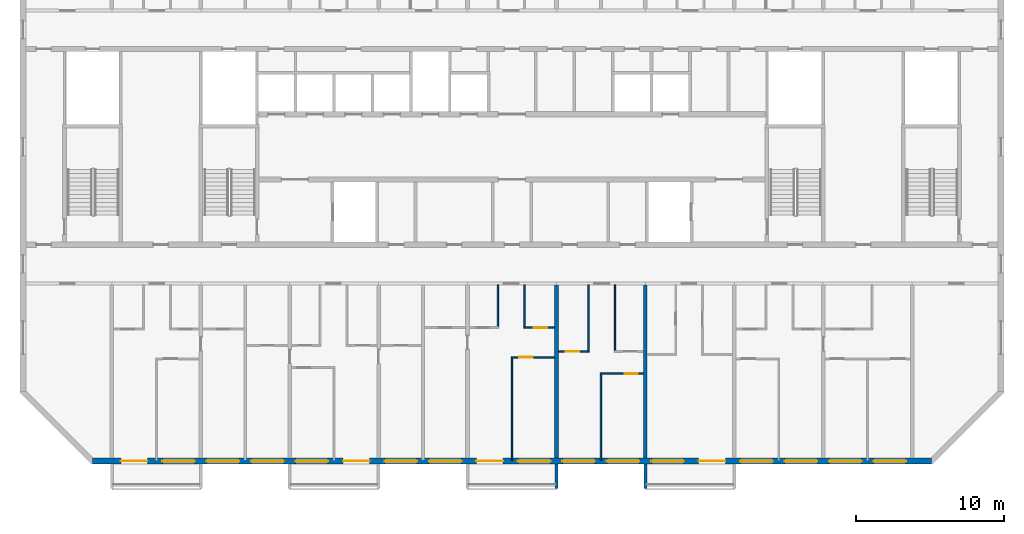
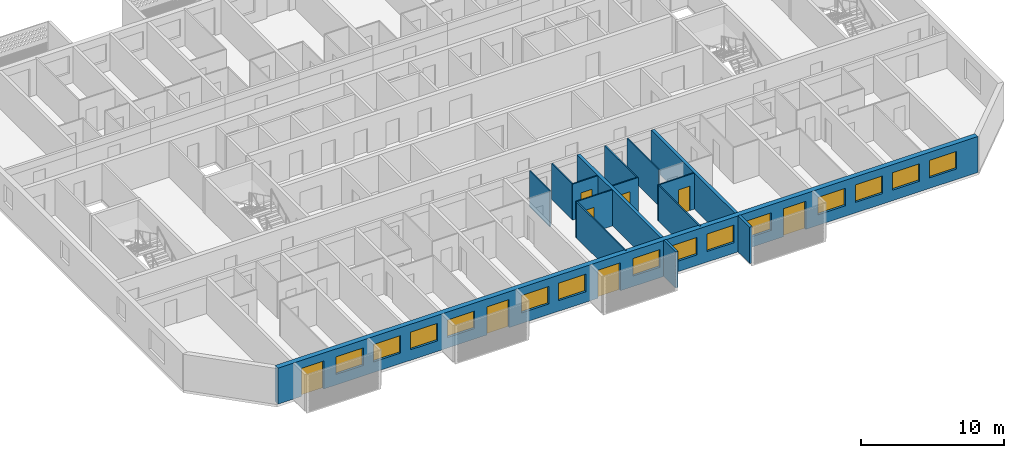
# One storey, part 4 of 29: 15 walls, 14 windows, 8 doors, 22 openings.
"""IFC4 building model written with IfcOpenShell, lengths in metres."""

from ifc_helpers import new_model, si_unit, direction, frame, frame_2d, origin, place, context, subcontext, project, spatial, polyline, rectangle, outline, extrude, source, transform, mapped, material, layer, layer_set, type_object, element, fill, save


model = new_model("IFC4")

# Units and contexts
model_context = context("Model", 3, precision=1e-05, world=origin(), true_north=direction((0.0, 1.0)))
body_context = subcontext(model_context, "Body", "Model", "MODEL_VIEW")
ifc_project = project(units=[si_unit("LENGTHUNIT", "METRE"), si_unit("AREAUNIT", "SQUARE_METRE"), si_unit("VOLUMEUNIT", "CUBIC_METRE"), si_unit("PLANEANGLEUNIT", "RADIAN"), si_unit("MASSUNIT", "GRAM", prefix="KILO")], contexts=[model_context])

# Site, building, storey
site_placement = place(None, origin())
site = spatial("IfcSite", under=ifc_project, at=site_placement, CompositionType="ELEMENT")
building_placement = place(site_placement, origin())
building = spatial("IfcBuilding", under=site, at=building_placement, Name="Poui Terraces", CompositionType="ELEMENT")
storey_placement = place(building_placement, frame((0.0, 0.0, 237.89990234375)))
storey = spatial("IfcBuildingStorey", under=building, at=storey_placement, Name="L66", CompositionType="ELEMENT", Elevation=237.89990234375)

# Walls
ifc_material_1 = material(Name="Concrete 50 MPa", Category="concrete")
ifc_layer_1 = layer(ifc_material_1, 0.25)
ifc_layer_set_1 = layer_set([ifc_layer_1], Name="Concrete 50 MPa")
wall_type_1 = type_object("IfcWallType", Name="CROSS WALL 250 50MPa", PredefinedType="SHEAR", material=ifc_layer_set_1)
for number, where, z_axis, x_axis, name in (
    (1, (54.0, 0.199951171875, 0.0), (0.0, 0.0, 1.0), (0.0, 1.0, 0.0), "CROSS WALL LINE 10 SOUTH"),
    (2, (60.0, 0.199951171875, 0.0), (0.0, 0.0, 1.0), (0.0, 1.0, 0.0), "CROSS WALL LINE 11 SOUTH"),
):
    element("IfcWall", number, at=place(storey_placement, frame(where, z_axis=z_axis, x_axis=x_axis)), inside=storey, type_object=wall_type_1, Name=name, PredefinedType="SHEAR", context=body_context, shape_type="SweptSolid", body=[
        extrude(rectangle(XDim=11.699951171875, YDim=0.25, at=frame_2d((5.85009765625, 0.0))), origin(), (0.0, 0.0, 1.0), 3.080078125),
    ])

# Wall, openings, doors, windows
ifc_material_2 = material(Name="Precast concrete 40 MPa", Category="concrete")
ifc_layer_2 = layer(ifc_material_2, 0.39990234375)
ifc_layer_set_2 = layer_set([ifc_layer_2], Name="Precast concrete 40 MPa")
wall_type_2 = type_object("IfcWallType", Name="EXTERNAL WALL 400", PredefinedType="STANDARD", material=ifc_layer_set_2)
wall_1_placement = place(storey_placement, frame((22.682861328125, 0.0, 0.0), z_axis=(0.0, 0.0, 1.0), x_axis=(1.0, 0.0, 0.0)))
wall_1 = element("IfcWall", 3, at=wall_1_placement, inside=storey, type_object=wall_type_2, Name="EXTERNAL WALL S", PredefinedType="STANDARD", context=body_context, shape_type="SweptSolid", body=[
    extrude(rectangle(XDim=56.63427734375, YDim=0.39990234375, at=frame_2d((28.317138671875, 0.0))), origin(), (0.0, 0.0, 1.0), 3.080078125),
])
opening_1_placement = place(wall_1_placement, frame((1.917236328125, 0.0, 0.0)))
opening_1 = element("IfcOpeningElement", 4, at=opening_1_placement, cuts=wall_1, Name="Opening BD1", PredefinedType="OPENING", context=body_context, shape_type="SweptSolid", body=[
    extrude(rectangle(XDim=1.800048828125, YDim=2.39990234375, at=frame_2d((0.89990234375, 1.199951171875))), frame((0.0, 0.2099609375, 0.0), z_axis=(0.0, -1.0, 0.0), x_axis=(1.0, 0.0, 0.0)), (0.0, 0.0, 1.0), 0.419921875),
])
opening_2_placement = place(wall_1_placement, frame((4.71728515625, 0.0, 0.89990234375)))
opening_2 = element("IfcOpeningElement", 5, at=opening_2_placement, cuts=wall_1, Name="Opening W1", PredefinedType="OPENING", context=body_context, shape_type="SweptSolid", body=[
    extrude(rectangle(XDim=2.199951171875, YDim=1.5, at=frame_2d((1.10009765625, 0.75))), frame((0.0, 0.2099609375, 0.0), z_axis=(0.0, -1.0, 0.0), x_axis=(1.0, 0.0, 0.0)), (0.0, 0.0, 1.0), 0.419921875),
])
opening_3_placement = place(wall_1_placement, frame((7.71728515625, 0.0, 0.89990234375)))
opening_3 = element("IfcOpeningElement", 6, at=opening_3_placement, cuts=wall_1, Name="Opening W1", PredefinedType="OPENING", context=body_context, shape_type="SweptSolid", body=[
    extrude(rectangle(XDim=2.199951171875, YDim=1.5, at=frame_2d((1.10009765625, 0.75))), frame((0.0, 0.2099609375, 0.0), z_axis=(0.0, -1.0, 0.0), x_axis=(1.0, 0.0, 0.0)), (0.0, 0.0, 1.0), 0.419921875),
])
opening_4_placement = place(wall_1_placement, frame((10.71728515625, 0.0, 0.89990234375)))
opening_4 = element("IfcOpeningElement", 7, at=opening_4_placement, cuts=wall_1, Name="Opening W1", PredefinedType="OPENING", context=body_context, shape_type="SweptSolid", body=[
    extrude(rectangle(XDim=2.199951171875, YDim=1.5, at=frame_2d((1.10009765625, 0.75))), frame((0.0, 0.2099609375, 0.0), z_axis=(0.0, -1.0, 0.0), x_axis=(1.0, 0.0, 0.0)), (0.0, 0.0, 1.0), 0.419921875),
])
opening_5_placement = place(wall_1_placement, frame((13.71728515625, 0.0, 0.89990234375)))
opening_5 = element("IfcOpeningElement", 8, at=opening_5_placement, cuts=wall_1, Name="Opening W1", PredefinedType="OPENING", context=body_context, shape_type="SweptSolid", body=[
    extrude(rectangle(XDim=2.199951171875, YDim=1.5, at=frame_2d((1.10009765625, 0.75))), frame((0.0, 0.2099609375, 0.0), z_axis=(0.0, -1.0, 0.0), x_axis=(1.0, 0.0, 0.0)), (0.0, 0.0, 1.0), 0.419921875),
])
opening_6_placement = place(wall_1_placement, frame((16.917236328125, 0.0, 0.0)))
opening_6 = element("IfcOpeningElement", 9, at=opening_6_placement, cuts=wall_1, Name="Opening BD1", PredefinedType="OPENING", context=body_context, shape_type="SweptSolid", body=[
    extrude(rectangle(XDim=1.800048828125, YDim=2.39990234375, at=frame_2d((0.89990234375, 1.199951171875))), frame((0.0, 0.2099609375, 0.0), z_axis=(0.0, -1.0, 0.0), x_axis=(1.0, 0.0, 0.0)), (0.0, 0.0, 1.0), 0.419921875),
])
opening_7_placement = place(wall_1_placement, frame((19.71728515625, 0.0, 0.89990234375)))
opening_7 = element("IfcOpeningElement", 10, at=opening_7_placement, cuts=wall_1, Name="Opening W1", PredefinedType="OPENING", context=body_context, shape_type="SweptSolid", body=[
    extrude(rectangle(XDim=2.199951171875, YDim=1.5, at=frame_2d((1.10009765625, 0.75))), frame((0.0, 0.2099609375, 0.0), z_axis=(0.0, -1.0, 0.0), x_axis=(1.0, 0.0, 0.0)), (0.0, 0.0, 1.0), 0.419921875),
])
opening_8_placement = place(wall_1_placement, frame((22.71728515625, 0.0, 0.89990234375)))
opening_8 = element("IfcOpeningElement", 11, at=opening_8_placement, cuts=wall_1, Name="Opening W1", PredefinedType="OPENING", context=body_context, shape_type="SweptSolid", body=[
    extrude(rectangle(XDim=2.199951171875, YDim=1.5, at=frame_2d((1.10009765625, 0.75))), frame((0.0, 0.2099609375, 0.0), z_axis=(0.0, -1.0, 0.0), x_axis=(1.0, 0.0, 0.0)), (0.0, 0.0, 1.0), 0.419921875),
])
opening_9_placement = place(wall_1_placement, frame((25.917236328125, 0.0, 0.0)))
opening_9 = element("IfcOpeningElement", 12, at=opening_9_placement, cuts=wall_1, Name="Opening BD1", PredefinedType="OPENING", context=body_context, shape_type="SweptSolid", body=[
    extrude(rectangle(XDim=1.800048828125, YDim=2.39990234375, at=frame_2d((0.89990234375, 1.199951171875))), frame((0.0, 0.2099609375, 0.0), z_axis=(0.0, -1.0, 0.0), x_axis=(1.0, 0.0, 0.0)), (0.0, 0.0, 1.0), 0.419921875),
])
opening_10_placement = place(wall_1_placement, frame((28.71728515625, 0.0, 0.89990234375)))
opening_10 = element("IfcOpeningElement", 13, at=opening_10_placement, cuts=wall_1, Name="Opening W1", PredefinedType="OPENING", context=body_context, shape_type="SweptSolid", body=[
    extrude(rectangle(XDim=2.199951171875, YDim=1.5, at=frame_2d((1.10009765625, 0.75))), frame((0.0, 0.2099609375, 0.0), z_axis=(0.0, -1.0, 0.0), x_axis=(1.0, 0.0, 0.0)), (0.0, 0.0, 1.0), 0.419921875),
])
opening_11_placement = place(wall_1_placement, frame((31.71728515625, 0.0, 0.89990234375)))
opening_11 = element("IfcOpeningElement", 14, at=opening_11_placement, cuts=wall_1, Name="Opening W1", PredefinedType="OPENING", context=body_context, shape_type="SweptSolid", body=[
    extrude(rectangle(XDim=2.199951171875, YDim=1.5, at=frame_2d((1.10009765625, 0.75))), frame((0.0, 0.2099609375, 0.0), z_axis=(0.0, -1.0, 0.0), x_axis=(1.0, 0.0, 0.0)), (0.0, 0.0, 1.0), 0.419921875),
])
opening_12_placement = place(wall_1_placement, frame((34.71728515625, 0.0, 0.89990234375)))
opening_12 = element("IfcOpeningElement", 15, at=opening_12_placement, cuts=wall_1, Name="Opening W1", PredefinedType="OPENING", context=body_context, shape_type="SweptSolid", body=[
    extrude(rectangle(XDim=2.199951171875, YDim=1.5, at=frame_2d((1.10009765625, 0.75))), frame((0.0, 0.2099609375, 0.0), z_axis=(0.0, -1.0, 0.0), x_axis=(1.0, 0.0, 0.0)), (0.0, 0.0, 1.0), 0.419921875),
])
opening_13_placement = place(wall_1_placement, frame((37.71728515625, 0.0, 0.89990234375)))
opening_13 = element("IfcOpeningElement", 16, at=opening_13_placement, cuts=wall_1, Name="Opening W1", PredefinedType="OPENING", context=body_context, shape_type="SweptSolid", body=[
    extrude(rectangle(XDim=2.199951171875, YDim=1.5, at=frame_2d((1.10009765625, 0.75))), frame((0.0, 0.2099609375, 0.0), z_axis=(0.0, -1.0, 0.0), x_axis=(1.0, 0.0, 0.0)), (0.0, 0.0, 1.0), 0.419921875),
])
opening_14_placement = place(wall_1_placement, frame((40.917236328125, 0.0, 0.0)))
opening_14 = element("IfcOpeningElement", 17, at=opening_14_placement, cuts=wall_1, Name="Opening BD1", PredefinedType="OPENING", context=body_context, shape_type="SweptSolid", body=[
    extrude(rectangle(XDim=1.800048828125, YDim=2.39990234375, at=frame_2d((0.89990234375, 1.199951171875))), frame((0.0, 0.2099609375, 0.0), z_axis=(0.0, -1.0, 0.0), x_axis=(1.0, 0.0, 0.0)), (0.0, 0.0, 1.0), 0.419921875),
])
opening_15_placement = place(wall_1_placement, frame((43.71728515625, 0.0, 0.89990234375)))
opening_15 = element("IfcOpeningElement", 18, at=opening_15_placement, cuts=wall_1, Name="Opening W1", PredefinedType="OPENING", context=body_context, shape_type="SweptSolid", body=[
    extrude(rectangle(XDim=2.199951171875, YDim=1.5, at=frame_2d((1.10009765625, 0.75))), frame((0.0, 0.2099609375, 0.0), z_axis=(0.0, -1.0, 0.0), x_axis=(1.0, 0.0, 0.0)), (0.0, 0.0, 1.0), 0.419921875),
])
opening_16_placement = place(wall_1_placement, frame((46.71728515625, 0.0, 0.89990234375)))
opening_16 = element("IfcOpeningElement", 19, at=opening_16_placement, cuts=wall_1, Name="Opening W1", PredefinedType="OPENING", context=body_context, shape_type="SweptSolid", body=[
    extrude(rectangle(XDim=2.199951171875, YDim=1.5, at=frame_2d((1.10009765625, 0.75))), frame((0.0, 0.2099609375, 0.0), z_axis=(0.0, -1.0, 0.0), x_axis=(1.0, 0.0, 0.0)), (0.0, 0.0, 1.0), 0.419921875),
])
opening_17_placement = place(wall_1_placement, frame((49.71728515625, 0.0, 0.89990234375)))
opening_17 = element("IfcOpeningElement", 20, at=opening_17_placement, cuts=wall_1, Name="Opening W1", PredefinedType="OPENING", context=body_context, shape_type="SweptSolid", body=[
    extrude(rectangle(XDim=2.199951171875, YDim=1.5, at=frame_2d((1.10009765625, 0.75))), frame((0.0, 0.2099609375, 0.0), z_axis=(0.0, -1.0, 0.0), x_axis=(1.0, 0.0, 0.0)), (0.0, 0.0, 1.0), 0.419921875),
])
opening_18_placement = place(wall_1_placement, frame((52.71728515625, 0.0, 0.89990234375)))
opening_18 = element("IfcOpeningElement", 21, at=opening_18_placement, cuts=wall_1, Name="Opening W1", PredefinedType="OPENING", context=body_context, shape_type="SweptSolid", body=[
    extrude(rectangle(XDim=2.199951171875, YDim=1.5, at=frame_2d((1.10009765625, 0.75))), frame((0.0, 0.2099609375, 0.0), z_axis=(0.0, -1.0, 0.0), x_axis=(1.0, 0.0, 0.0)), (0.0, 0.0, 1.0), 0.419921875),
])
ifc_material_3 = material(Name="Clear glass in aluminium frame", Category="aluminium")
door_type_1 = type_object("IfcDoorType", Name="BALCONY DOOR 1800X2400", OperationType="DOUBLE_DOOR_SLIDING", PredefinedType="DOOR", material=ifc_material_3)
door_1_placement = place(opening_1_placement, origin())
door_1 = element("IfcDoor", 22, at=door_1_placement, inside=storey, type_object=door_type_1, Name="BD1 BALCONY DOOR", OperationType="DOUBLE_DOOR_SLIDING", OverallHeight=2.39990234375, OverallWidth=1.800048828125, PredefinedType="DOOR", context=body_context, shape_type="SweptSolid", body=[
    extrude(rectangle(XDim=1.800048828125, YDim=2.39990234375, at=frame_2d((0.89990234375, 1.199951171875))), frame((0.0, 0.02490234375, 0.0), z_axis=(0.0, -1.0, 0.0), x_axis=(1.0, 0.0, 0.0)), (0.0, 0.0, 1.0), 0.050048828125),
])
fill(opening_1, door_1)
door_2_placement = place(opening_6_placement, origin())
door_2 = element("IfcDoor", 23, at=door_2_placement, inside=storey, type_object=door_type_1, Name="BD1 BALCONY DOOR", OperationType="DOUBLE_DOOR_SLIDING", OverallHeight=2.39990234375, OverallWidth=1.800048828125, PredefinedType="DOOR", context=body_context, shape_type="SweptSolid", body=[
    extrude(rectangle(XDim=1.800048828125, YDim=2.39990234375, at=frame_2d((0.89990234375, 1.199951171875))), frame((0.0, 0.02490234375, 0.0), z_axis=(0.0, -1.0, 0.0), x_axis=(1.0, 0.0, 0.0)), (0.0, 0.0, 1.0), 0.050048828125),
])
fill(opening_6, door_2)
door_3_placement = place(opening_9_placement, origin())
door_3 = element("IfcDoor", 24, at=door_3_placement, inside=storey, type_object=door_type_1, Name="BD1 BALCONY DOOR", OperationType="DOUBLE_DOOR_SLIDING", OverallHeight=2.39990234375, OverallWidth=1.800048828125, PredefinedType="DOOR", context=body_context, shape_type="SweptSolid", body=[
    extrude(rectangle(XDim=1.800048828125, YDim=2.39990234375, at=frame_2d((0.89990234375, 1.199951171875))), frame((0.0, 0.02490234375, 0.0), z_axis=(0.0, -1.0, 0.0), x_axis=(1.0, 0.0, 0.0)), (0.0, 0.0, 1.0), 0.050048828125),
])
fill(opening_9, door_3)
door_4_placement = place(opening_14_placement, origin())
door_4 = element("IfcDoor", 25, at=door_4_placement, inside=storey, type_object=door_type_1, Name="BD1 BALCONY DOOR", OperationType="DOUBLE_DOOR_SLIDING", OverallHeight=2.39990234375, OverallWidth=1.800048828125, PredefinedType="DOOR", context=body_context, shape_type="SweptSolid", body=[
    extrude(rectangle(XDim=1.800048828125, YDim=2.39990234375, at=frame_2d((0.89990234375, 1.199951171875))), frame((0.0, 0.02490234375, 0.0), z_axis=(0.0, -1.0, 0.0), x_axis=(1.0, 0.0, 0.0)), (0.0, 0.0, 1.0), 0.050048828125),
])
fill(opening_14, door_4)
window_type = type_object("IfcWindowType", Name="WINDOW 2200X1500", PartitioningType="DOUBLE_PANEL_HORIZONTAL", PredefinedType="WINDOW", material=ifc_material_3)
window_1_placement = place(opening_2_placement, origin())
window_1 = element("IfcWindow", 26, at=window_1_placement, inside=storey, type_object=window_type, Name="W1 WINDOW", OverallHeight=1.5, OverallWidth=2.199951171875, PartitioningType="DOUBLE_PANEL_HORIZONTAL", PredefinedType="WINDOW", context=body_context, shape_type="SweptSolid", body=[
    extrude(rectangle(XDim=2.199951171875, YDim=1.5, at=frame_2d((1.10009765625, 0.75))), frame((0.0, 0.030029296875, 0.0), z_axis=(0.0, -1.0, 0.0), x_axis=(1.0, 0.0, 0.0)), (0.0, 0.0, 1.0), 0.06005859375),
])
fill(opening_2, window_1)
window_2_placement = place(opening_3_placement, origin())
window_2 = element("IfcWindow", 27, at=window_2_placement, inside=storey, type_object=window_type, Name="W1 WINDOW", OverallHeight=1.5, OverallWidth=2.199951171875, PartitioningType="DOUBLE_PANEL_HORIZONTAL", PredefinedType="WINDOW", context=body_context, shape_type="SweptSolid", body=[
    extrude(rectangle(XDim=2.199951171875, YDim=1.5, at=frame_2d((1.10009765625, 0.75))), frame((0.0, 0.030029296875, 0.0), z_axis=(0.0, -1.0, 0.0), x_axis=(1.0, 0.0, 0.0)), (0.0, 0.0, 1.0), 0.06005859375),
])
fill(opening_3, window_2)
window_3_placement = place(opening_4_placement, origin())
window_3 = element("IfcWindow", 28, at=window_3_placement, inside=storey, type_object=window_type, Name="W1 WINDOW", OverallHeight=1.5, OverallWidth=2.199951171875, PartitioningType="DOUBLE_PANEL_HORIZONTAL", PredefinedType="WINDOW", context=body_context, shape_type="SweptSolid", body=[
    extrude(rectangle(XDim=2.199951171875, YDim=1.5, at=frame_2d((1.10009765625, 0.75))), frame((0.0, 0.030029296875, 0.0), z_axis=(0.0, -1.0, 0.0), x_axis=(1.0, 0.0, 0.0)), (0.0, 0.0, 1.0), 0.06005859375),
])
fill(opening_4, window_3)
window_4_placement = place(opening_5_placement, origin())
window_4 = element("IfcWindow", 29, at=window_4_placement, inside=storey, type_object=window_type, Name="W1 WINDOW", OverallHeight=1.5, OverallWidth=2.199951171875, PartitioningType="DOUBLE_PANEL_HORIZONTAL", PredefinedType="WINDOW", context=body_context, shape_type="SweptSolid", body=[
    extrude(rectangle(XDim=2.199951171875, YDim=1.5, at=frame_2d((1.10009765625, 0.75))), frame((0.0, 0.030029296875, 0.0), z_axis=(0.0, -1.0, 0.0), x_axis=(1.0, 0.0, 0.0)), (0.0, 0.0, 1.0), 0.06005859375),
])
fill(opening_5, window_4)
window_5_placement = place(opening_7_placement, origin())
window_5 = element("IfcWindow", 30, at=window_5_placement, inside=storey, type_object=window_type, Name="W1 WINDOW", OverallHeight=1.5, OverallWidth=2.199951171875, PartitioningType="DOUBLE_PANEL_HORIZONTAL", PredefinedType="WINDOW", context=body_context, shape_type="SweptSolid", body=[
    extrude(rectangle(XDim=2.199951171875, YDim=1.5, at=frame_2d((1.10009765625, 0.75))), frame((0.0, 0.030029296875, 0.0), z_axis=(0.0, -1.0, 0.0), x_axis=(1.0, 0.0, 0.0)), (0.0, 0.0, 1.0), 0.06005859375),
])
fill(opening_7, window_5)
window_6_placement = place(opening_8_placement, origin())
window_6 = element("IfcWindow", 31, at=window_6_placement, inside=storey, type_object=window_type, Name="W1 WINDOW", OverallHeight=1.5, OverallWidth=2.199951171875, PartitioningType="DOUBLE_PANEL_HORIZONTAL", PredefinedType="WINDOW", context=body_context, shape_type="SweptSolid", body=[
    extrude(rectangle(XDim=2.199951171875, YDim=1.5, at=frame_2d((1.10009765625, 0.75))), frame((0.0, 0.030029296875, 0.0), z_axis=(0.0, -1.0, 0.0), x_axis=(1.0, 0.0, 0.0)), (0.0, 0.0, 1.0), 0.06005859375),
])
fill(opening_8, window_6)
window_7_placement = place(opening_10_placement, origin())
window_7 = element("IfcWindow", 32, at=window_7_placement, inside=storey, type_object=window_type, Name="W1 WINDOW", OverallHeight=1.5, OverallWidth=2.199951171875, PartitioningType="DOUBLE_PANEL_HORIZONTAL", PredefinedType="WINDOW", context=body_context, shape_type="SweptSolid", body=[
    extrude(rectangle(XDim=2.199951171875, YDim=1.5, at=frame_2d((1.10009765625, 0.75))), frame((0.0, 0.030029296875, 0.0), z_axis=(0.0, -1.0, 0.0), x_axis=(1.0, 0.0, 0.0)), (0.0, 0.0, 1.0), 0.06005859375),
])
fill(opening_10, window_7)
window_8_placement = place(opening_11_placement, origin())
window_8 = element("IfcWindow", 33, at=window_8_placement, inside=storey, type_object=window_type, Name="W1 WINDOW", OverallHeight=1.5, OverallWidth=2.199951171875, PartitioningType="DOUBLE_PANEL_HORIZONTAL", PredefinedType="WINDOW", context=body_context, shape_type="SweptSolid", body=[
    extrude(rectangle(XDim=2.199951171875, YDim=1.5, at=frame_2d((1.10009765625, 0.75))), frame((0.0, 0.030029296875, 0.0), z_axis=(0.0, -1.0, 0.0), x_axis=(1.0, 0.0, 0.0)), (0.0, 0.0, 1.0), 0.06005859375),
])
fill(opening_11, window_8)
window_9_placement = place(opening_12_placement, origin())
window_9 = element("IfcWindow", 34, at=window_9_placement, inside=storey, type_object=window_type, Name="W1 WINDOW", OverallHeight=1.5, OverallWidth=2.199951171875, PartitioningType="DOUBLE_PANEL_HORIZONTAL", PredefinedType="WINDOW", context=body_context, shape_type="SweptSolid", body=[
    extrude(rectangle(XDim=2.199951171875, YDim=1.5, at=frame_2d((1.10009765625, 0.75))), frame((0.0, 0.030029296875, 0.0), z_axis=(0.0, -1.0, 0.0), x_axis=(1.0, 0.0, 0.0)), (0.0, 0.0, 1.0), 0.06005859375),
])
fill(opening_12, window_9)
window_10_placement = place(opening_13_placement, origin())
window_10 = element("IfcWindow", 35, at=window_10_placement, inside=storey, type_object=window_type, Name="W1 WINDOW", OverallHeight=1.5, OverallWidth=2.199951171875, PartitioningType="DOUBLE_PANEL_HORIZONTAL", PredefinedType="WINDOW", context=body_context, shape_type="SweptSolid", body=[
    extrude(rectangle(XDim=2.199951171875, YDim=1.5, at=frame_2d((1.10009765625, 0.75))), frame((0.0, 0.030029296875, 0.0), z_axis=(0.0, -1.0, 0.0), x_axis=(1.0, 0.0, 0.0)), (0.0, 0.0, 1.0), 0.06005859375),
])
fill(opening_13, window_10)
window_11_placement = place(opening_15_placement, origin())
window_11 = element("IfcWindow", 36, at=window_11_placement, inside=storey, type_object=window_type, Name="W1 WINDOW", OverallHeight=1.5, OverallWidth=2.199951171875, PartitioningType="DOUBLE_PANEL_HORIZONTAL", PredefinedType="WINDOW", context=body_context, shape_type="SweptSolid", body=[
    extrude(rectangle(XDim=2.199951171875, YDim=1.5, at=frame_2d((1.10009765625, 0.75))), frame((0.0, 0.030029296875, 0.0), z_axis=(0.0, -1.0, 0.0), x_axis=(1.0, 0.0, 0.0)), (0.0, 0.0, 1.0), 0.06005859375),
])
fill(opening_15, window_11)
window_12_placement = place(opening_16_placement, origin())
window_12 = element("IfcWindow", 37, at=window_12_placement, inside=storey, type_object=window_type, Name="W1 WINDOW", OverallHeight=1.5, OverallWidth=2.199951171875, PartitioningType="DOUBLE_PANEL_HORIZONTAL", PredefinedType="WINDOW", context=body_context, shape_type="SweptSolid", body=[
    extrude(rectangle(XDim=2.199951171875, YDim=1.5, at=frame_2d((1.10009765625, 0.75))), frame((0.0, 0.030029296875, 0.0), z_axis=(0.0, -1.0, 0.0), x_axis=(1.0, 0.0, 0.0)), (0.0, 0.0, 1.0), 0.06005859375),
])
fill(opening_16, window_12)
window_13_placement = place(opening_17_placement, origin())
window_13 = element("IfcWindow", 38, at=window_13_placement, inside=storey, type_object=window_type, Name="W1 WINDOW", OverallHeight=1.5, OverallWidth=2.199951171875, PartitioningType="DOUBLE_PANEL_HORIZONTAL", PredefinedType="WINDOW", context=body_context, shape_type="SweptSolid", body=[
    extrude(rectangle(XDim=2.199951171875, YDim=1.5, at=frame_2d((1.10009765625, 0.75))), frame((0.0, 0.030029296875, 0.0), z_axis=(0.0, -1.0, 0.0), x_axis=(1.0, 0.0, 0.0)), (0.0, 0.0, 1.0), 0.06005859375),
])
fill(opening_17, window_13)
window_14_placement = place(opening_18_placement, origin())
window_14 = element("IfcWindow", 39, at=window_14_placement, inside=storey, type_object=window_type, Name="W1 WINDOW", OverallHeight=1.5, OverallWidth=2.199951171875, PartitioningType="DOUBLE_PANEL_HORIZONTAL", PredefinedType="WINDOW", context=body_context, shape_type="SweptSolid", body=[
    extrude(rectangle(XDim=2.199951171875, YDim=1.5, at=frame_2d((1.10009765625, 0.75))), frame((0.0, 0.030029296875, 0.0), z_axis=(0.0, -1.0, 0.0), x_axis=(1.0, 0.0, 0.0)), (0.0, 0.0, 1.0), 0.06005859375),
])
fill(opening_18, window_14)

# Wall, opening, door
ifc_material_4 = material(Name="Plasterboard partition")
ifc_layer_3 = layer(ifc_material_4, 0.10009765625)
ifc_layer_set_3 = layer_set([ifc_layer_3], Name="Plasterboard partition")
wall_type_3 = type_object("IfcWallType", Name="FLAT PARTITION 100", PredefinedType="PARTITIONING", material=ifc_layer_set_3)
wall_2_placement = place(storey_placement, frame((56.949951171875, 5.89990234375, 0.0), z_axis=(0.0, 0.0, 1.0), x_axis=(1.0, 0.0, 0.0)))
wall_2 = element("IfcWall", 40, at=wall_2_placement, inside=storey, type_object=wall_type_3, Name="FLAT PARTITION 100", PredefinedType="PARTITIONING", context=body_context, shape_type="SweptSolid", body=[
    extrude(rectangle(XDim=2.9150390625, YDim=0.10009765625, at=frame_2d((1.45751953125, 0.0))), origin(), (0.0, 0.0, 1.0), 3.080078125),
])
opening_19_placement = place(wall_2_placement, frame((1.64990234375, 0.0, 0.0)))
opening_19 = element("IfcOpeningElement", 41, at=opening_19_placement, cuts=wall_2, Name="Opening D90", PredefinedType="OPENING", context=body_context, shape_type="SweptSolid", body=[
    extrude(rectangle(XDim=0.89990234375, YDim=2.10009765625, at=frame_2d((0.449951171875, 1.050048828125))), frame((0.0, 0.06005859375, 0.0), z_axis=(0.0, -1.0, 0.0), x_axis=(1.0, 0.0, 0.0)), (0.0, 0.0, 1.0), 0.1201171875),
])
ifc_material_5 = material(Name="Solid core timber door", Category="wood")
door_type_2 = type_object("IfcDoorType", Name="INTERNAL DOOR 900 X 2100", OperationType="NOTDEFINED", PredefinedType="DOOR", material=ifc_material_5)
door_5_placement = place(opening_19_placement, origin())
door_5 = element("IfcDoor", 42, at=door_5_placement, inside=storey, type_object=door_type_2, Name="INTERNAL DOOR 087", OperationType="SINGLE_SWING_LEFT", OverallHeight=2.10009765625, OverallWidth=0.89990234375, PredefinedType="DOOR", context=body_context, shape_type="SweptSolid", body=[
    extrude(rectangle(XDim=0.89990234375, YDim=2.10009765625, at=frame_2d((0.449951171875, 1.050048828125))), frame((0.0, 0.02490234375, 0.0), z_axis=(0.0, -1.0, 0.0), x_axis=(1.0, 0.0, 0.0)), (0.0, 0.0, 1.0), 0.050048828125),
])
fill(opening_19, door_5)

wall_3_placement = place(storey_placement, frame((50.949951171875, 7.0, 0.0), z_axis=(0.0, 0.0, 1.0), x_axis=(1.0, 0.0, 0.0)))
wall_3 = element("IfcWall", 43, at=wall_3_placement, inside=storey, type_object=wall_type_3, Name="FLAT PARTITION 100", PredefinedType="PARTITIONING", context=body_context, shape_type="SweptSolid", body=[
    extrude(rectangle(XDim=2.9150390625, YDim=0.10009765625, at=frame_2d((1.45751953125, 0.0))), origin(), (0.0, 0.0, 1.0), 3.080078125),
])
opening_20_placement = place(wall_3_placement, frame((0.550048828125, 0.0, 0.0)))
opening_20 = element("IfcOpeningElement", 44, at=opening_20_placement, cuts=wall_3, Name="Opening D90", PredefinedType="OPENING", context=body_context, shape_type="SweptSolid", body=[
    extrude(rectangle(XDim=0.89990234375, YDim=2.10009765625, at=frame_2d((0.449951171875, 1.050048828125))), frame((0.0, 0.06005859375, 0.0), z_axis=(0.0, -1.0, 0.0), x_axis=(1.0, 0.0, 0.0)), (0.0, 0.0, 1.0), 0.1201171875),
])
door_6_placement = place(opening_20_placement, origin())
door_6 = element("IfcDoor", 45, at=door_6_placement, inside=storey, type_object=door_type_2, Name="INTERNAL DOOR 082", OperationType="SINGLE_SWING_RIGHT", OverallHeight=2.10009765625, OverallWidth=0.89990234375, PredefinedType="DOOR", context=body_context, shape_type="SweptSolid", body=[
    extrude(rectangle(XDim=0.89990234375, YDim=2.10009765625, at=frame_2d((0.449951171875, 1.050048828125))), frame((0.0, 0.02490234375, 0.0), z_axis=(0.0, -1.0, 0.0), x_axis=(1.0, 0.0, 0.0)), (0.0, 0.0, 1.0), 0.050048828125),
])
fill(opening_20, door_6)

wall_4_placement = place(storey_placement, frame((54.135009765625, 7.39990234375, 0.0), z_axis=(0.0, 0.0, 1.0), x_axis=(1.0, 0.0, 0.0)))
wall_4 = element("IfcWall", 46, at=wall_4_placement, inside=storey, type_object=wall_type_3, Name="FLAT PARTITION 100", PredefinedType="PARTITIONING", context=body_context, shape_type="SweptSolid", body=[
    extrude(rectangle(XDim=2.06494140625, YDim=0.10009765625, at=frame_2d((1.032470703125, 0.0))), origin(), (0.0, 0.0, 1.0), 3.080078125),
])
opening_21_placement = place(wall_4_placement, frame((0.489990234375, 0.0, 0.0)))
opening_21 = element("IfcOpeningElement", 47, at=opening_21_placement, cuts=wall_4, Name="Opening D90", PredefinedType="OPENING", context=body_context, shape_type="SweptSolid", body=[
    extrude(rectangle(XDim=0.89990234375, YDim=2.10009765625, at=frame_2d((0.449951171875, 1.050048828125))), frame((0.0, 0.06005859375, 0.0), z_axis=(0.0, -1.0, 0.0), x_axis=(1.0, 0.0, 0.0)), (0.0, 0.0, 1.0), 0.1201171875),
])
door_7_placement = place(opening_21_placement, origin())
door_7 = element("IfcDoor", 48, at=door_7_placement, inside=storey, type_object=door_type_2, Name="INTERNAL DOOR 084", OperationType="SINGLE_SWING_LEFT", OverallHeight=2.10009765625, OverallWidth=0.89990234375, PredefinedType="DOOR", context=body_context, shape_type="SweptSolid", body=[
    extrude(rectangle(XDim=0.89990234375, YDim=2.10009765625, at=frame_2d((0.449951171875, 1.050048828125))), frame((0.0, 0.02490234375, 0.0), z_axis=(0.0, -1.0, 0.0), x_axis=(1.0, 0.0, 0.0)), (0.0, 0.0, 1.0), 0.050048828125),
])
fill(opening_21, door_7)

wall_5_placement = place(storey_placement, frame((51.800048828125, 9.0, 0.0), z_axis=(0.0, 0.0, 1.0), x_axis=(1.0, 0.0, 0.0)))
wall_5 = element("IfcWall", 49, at=wall_5_placement, inside=storey, type_object=wall_type_3, Name="FLAT PARTITION 100", PredefinedType="PARTITIONING", context=body_context, shape_type="SweptSolid", body=[
    extrude(rectangle(XDim=2.06494140625, YDim=0.10009765625, at=frame_2d((1.032470703125, 0.0))), origin(), (0.0, 0.0, 1.0), 3.080078125),
])
opening_22_placement = place(wall_5_placement, frame((0.675048828125, 0.0, 0.0)))
opening_22 = element("IfcOpeningElement", 50, at=opening_22_placement, cuts=wall_5, Name="Opening D90", PredefinedType="OPENING", context=body_context, shape_type="SweptSolid", body=[
    extrude(rectangle(XDim=0.89990234375, YDim=2.10009765625, at=frame_2d((0.449951171875, 1.050048828125))), frame((0.0, 0.06005859375, 0.0), z_axis=(0.0, -1.0, 0.0), x_axis=(1.0, 0.0, 0.0)), (0.0, 0.0, 1.0), 0.1201171875),
])
door_8_placement = place(opening_22_placement, origin())
door_8 = element("IfcDoor", 51, at=door_8_placement, inside=storey, type_object=door_type_2, Name="INTERNAL DOOR 083", OperationType="SINGLE_SWING_LEFT", OverallHeight=2.10009765625, OverallWidth=0.89990234375, PredefinedType="DOOR", context=body_context, shape_type="SweptSolid", body=[
    extrude(rectangle(XDim=0.89990234375, YDim=2.10009765625, at=frame_2d((0.449951171875, 1.050048828125))), frame((0.0, 0.02490234375, 0.0), z_axis=(0.0, -1.0, 0.0), x_axis=(1.0, 0.0, 0.0)), (0.0, 0.0, 1.0), 0.050048828125),
])
fill(opening_22, door_8)

# Walls
wall_6_placement = place(storey_placement, frame((50.050048828125, 9.050048828125, 0.0), z_axis=(0.0, 0.0, 1.0), x_axis=(0.0, 1.0, 0.0)))
element("IfcWall", 52, at=wall_6_placement, inside=storey, type_object=wall_type_3, Name="FLAT PARTITION 100", PredefinedType="PARTITIONING", context=body_context, shape_type="SweptSolid", body=[
    extrude(rectangle(XDim=2.83984375, YDim=0.10009765625, at=frame_2d((1.419921875, 0.0))), origin(), (0.0, 0.0, 1.0), 3.080078125),
])
wall_7_placement = place(storey_placement, frame((51.0, 0.06005859375, 0.0), z_axis=(0.0, 0.0, 1.0), x_axis=(0.0, 1.0, 0.0)))
element("IfcWall", 53, at=wall_7_placement, inside=storey, type_object=wall_type_3, Name="FLAT PARTITION 100", PredefinedType="PARTITIONING", context=body_context, shape_type="SweptSolid", body=[
    extrude(rectangle(XDim=6.889892578125, YDim=0.10009765625, at=frame_2d((3.44482421875, 0.0))), origin(), (0.0, 0.0, 1.0), 3.080078125),
])
wall_8_placement = place(storey_placement, frame((51.85009765625, 9.050048828125, 0.0), z_axis=(0.0, 0.0, 1.0), x_axis=(0.0, 1.0, 0.0)))
element("IfcWall", 54, at=wall_8_placement, inside=storey, type_object=wall_type_3, Name="FLAT PARTITION 100", PredefinedType="PARTITIONING", context=body_context, shape_type="SweptSolid", body=[
    extrude(rectangle(XDim=2.83984375, YDim=0.10009765625, at=frame_2d((1.419921875, 0.0))), origin(), (0.0, 0.0, 1.0), 3.080078125),
])
wall_9_placement = place(storey_placement, frame((56.14990234375, 7.449951171875, 0.0), z_axis=(0.0, 0.0, 1.0), x_axis=(0.0, 1.0, 0.0)))
element("IfcWall", 55, at=wall_9_placement, inside=storey, type_object=wall_type_3, Name="FLAT PARTITION 100", PredefinedType="PARTITIONING", context=body_context, shape_type="SweptSolid", body=[
    extrude(rectangle(XDim=4.43994140625, YDim=0.10009765625, at=frame_2d((2.219970703125, 0.0))), origin(), (0.0, 0.0, 1.0), 3.080078125),
])
wall_10_placement = place(storey_placement, frame((57.0, 0.06005859375, 0.0), z_axis=(0.0, 0.0, 1.0), x_axis=(0.0, 1.0, 0.0)))
element("IfcWall", 56, at=wall_10_placement, inside=storey, type_object=wall_type_3, Name="FLAT PARTITION 100", PredefinedType="PARTITIONING", context=body_context, shape_type="SweptSolid", body=[
    extrude(rectangle(XDim=5.7900390625, YDim=0.10009765625, at=frame_2d((2.89501953125, 0.0))), origin(), (0.0, 0.0, 1.0), 3.080078125),
])
wall_11_placement = place(storey_placement, frame((57.949951171875, 7.449951171875, 0.0), z_axis=(0.0, 0.0, 1.0), x_axis=(0.0, 1.0, 0.0)))
element("IfcWall", 57, at=wall_11_placement, inside=storey, type_object=wall_type_3, Name="FLAT PARTITION 100", PredefinedType="PARTITIONING", context=body_context, shape_type="SweptSolid", body=[
    extrude(rectangle(XDim=4.43994140625, YDim=0.10009765625, at=frame_2d((2.219970703125, 0.0))), origin(), (0.0, 0.0, 1.0), 3.080078125),
])
ifc_layer_4 = layer(ifc_material_2, 0.199951171875)
ifc_layer_set_4 = layer_set([ifc_layer_4], Name="Precast concrete 40 MPa")
wall_type_4 = type_object("IfcWallType", Name="REAR FIN 200", PredefinedType="STANDARD", material=ifc_layer_set_4)
shared_shape = source(origin(), body_context, "Body", "SweptSolid", [
    extrude(outline(polyline([(0.0, 0.0), (0.2001953125, 0.0), (0.2001953125, 1.650146484375), (0.0, 1.650146484375), (0.0, 0.0)])), origin(), (0.0, 0.0, 1.0), 3.10009765625),
])
for number, where, name in (
    (58, (53.89990234375, -1.85009765625, 0.0), "REAR FIN"),
    (59, (59.89990234375, -1.85009765625, 0.0), "REAR FIN"),
):
    element("IfcWall", number, at=place(storey_placement, frame(where)), inside=storey, type_object=wall_type_4, Name=name, PredefinedType="STANDARD", context=body_context, shape_type="MappedRepresentation", body=[
        mapped(shared_shape, transform((0.0, 0.0, 0.0))),
    ])

save(model, "model.ifc")
